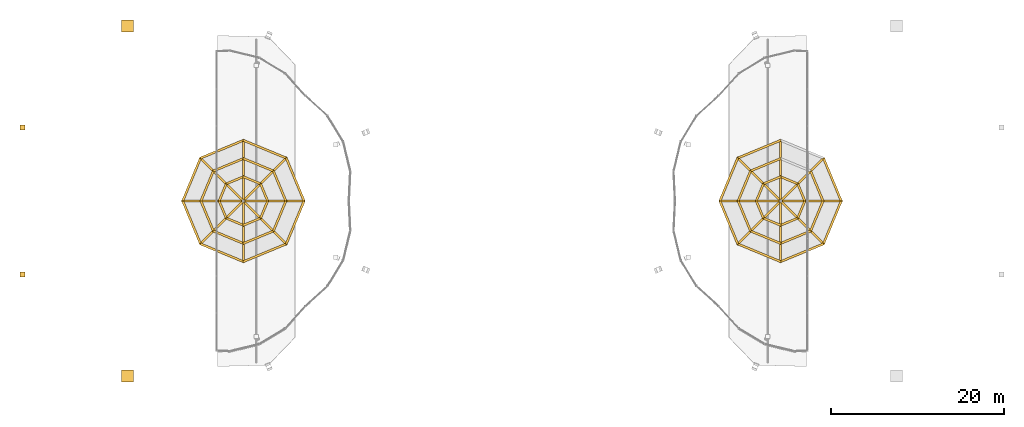
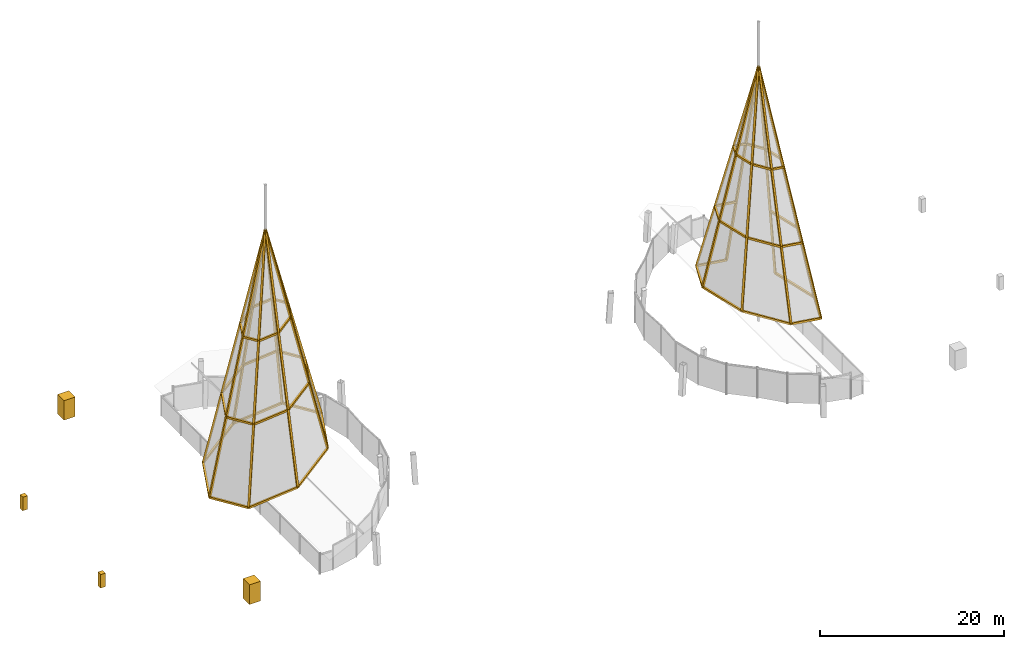
# One storey, part 15 of 16: 66 coverings.
"""IFC4 building model written with IfcOpenShell, lengths in metres."""

from ifc_helpers import new_model, si_unit, direction, frame, origin, origin_2d, place, context, subcontext, project, spatial, polyline, rectangle, outline, extrude, material, layer, layer_set, material_profile, profile_set, type_object, element, save


model = new_model("IFC4")

# Units and contexts
model_context = context("Model", 3, precision=1e-05, world=origin(), true_north=direction((0.0, 1.0)))
body_context = subcontext(model_context, "Body", "Model", "MODEL_VIEW")
ifc_project = project(units=[si_unit("LENGTHUNIT", "METRE"), si_unit("AREAUNIT", "SQUARE_METRE"), si_unit("VOLUMEUNIT", "CUBIC_METRE"), si_unit("PLANEANGLEUNIT", "RADIAN"), si_unit("MASSUNIT", "GRAM", prefix="KILO")], contexts=[model_context])

# Site, building, storey
site_placement = place(None, origin())
site = spatial("IfcSite", under=ifc_project, at=site_placement, CompositionType="ELEMENT")
building_placement = place(site_placement, origin())
building = spatial("IfcBuilding", under=site, at=building_placement, Name="Ogive Gate Towers", CompositionType="ELEMENT")
storey_placement = place(building_placement, frame((0.0, 0.0, 310.0)))
storey = spatial("IfcBuildingStorey", under=building, at=storey_placement, Name="L73", CompositionType="ELEMENT", Elevation=310.0)

# Coverings
ifc_material = material(Name="Cast stone", Category="masonry")
ifc_material_profile = material_profile(ifc_material, rectangle(XDim=0.25, YDim=0.25, at=origin_2d()), Name="250 x 250 cast stone")
ifc_profile_set = profile_set([ifc_material_profile], Name="Cast stone")
covering_type_1 = type_object("IfcCoveringType", Name="Lantern rib 250 x 250", PredefinedType="CLADDING", material=ifc_profile_set)
covering_1_placement = place(storey_placement, frame((-24.0, 0.0, 6.99951171875), z_axis=(-0.252113335072, 0.0, 0.967697714309), x_axis=(0.0, -1.0, 0.0)))
element("IfcCovering", 1, at=covering_1_placement, inside=storey, type_object=covering_type_1, Name="Lantern arris rib", PredefinedType="CLADDING", context=body_context, shape_type="SweptSolid", body=[
    extrude(rectangle(XDim=0.25, YDim=0.25, at=origin_2d()), origin(), (0.0, 0.0, 1.0), 27.765380859375),
])
covering_2_placement = place(storey_placement, frame((-24.0, 0.0, 6.99951171875), z_axis=(-0.377204350323, 0.910626458496, -0.168749314618), x_axis=(-0.923875758625, -0.382692543205, 0.0)))
element("IfcCovering", 2, at=covering_2_placement, inside=storey, type_object=covering_type_1, Name="Lantern base rib", PredefinedType="CLADDING", context=body_context, shape_type="SweptSolid", body=[
    extrude(rectangle(XDim=0.25, YDim=0.25, at=origin_2d()), origin(), (0.0, 0.0, 1.0), 5.435546875),
])
covering_3_placement = place(storey_placement, frame((-26.10009765625, 0.0, 15.059814453125), z_axis=(-0.377170595218, 0.910650746399, -0.16869368745), x_axis=(-0.923891474608, -0.38265460032, 0.0)))
element("IfcCovering", 3, at=covering_3_placement, inside=storey, type_object=covering_type_1, Name="Lantern hoop rib", PredefinedType="CLADDING", context=body_context, shape_type="SweptSolid", body=[
    extrude(rectangle(XDim=0.25, YDim=0.25, at=origin_2d()), origin(), (0.0, 0.0, 1.0), 3.8046875),
])
covering_4_placement = place(storey_placement, frame((-28.199951171875, 0.0, 23.12060546875), z_axis=(-0.377168230906, 0.910638390191, -0.168765659736), x_axis=(-0.923890487046, -0.382656984709, 0.0)))
element("IfcCovering", 4, at=covering_4_placement, inside=storey, type_object=covering_type_1, Name="Lantern hoop rib", PredefinedType="CLADDING", context=body_context, shape_type="SweptSolid", body=[
    extrude(rectangle(XDim=0.25, YDim=0.25, at=origin_2d()), origin(), (0.0, 0.0, 1.0), 2.17431640625),
])
covering_5_placement = place(storey_placement, frame((-26.05029296875, 4.94970703125, 6.082275390625), z_axis=(-0.172741627856, -0.172741627856, 0.969701325157), x_axis=(0.707106781187, -0.707106781187, 0.0)))
element("IfcCovering", 5, at=covering_5_placement, inside=storey, type_object=covering_type_1, Name="Lantern arris rib", PredefinedType="CLADDING", context=body_context, shape_type="SweptSolid", body=[
    extrude(rectangle(XDim=0.25, YDim=0.25, at=origin_2d()), origin(), (0.0, 0.0, 1.0), 28.65380859375),
])
covering_6_placement = place(storey_placement, frame((-26.05029296875, 4.94970703125, 6.082275390625), z_axis=(-0.853820831271, 0.353674032801, -0.381974693678), x_axis=(-0.382692543205, -0.923875758625, 0.0)))
element("IfcCovering", 6, at=covering_6_placement, inside=storey, type_object=covering_type_1, Name="Lantern base rib", PredefinedType="CLADDING", context=body_context, shape_type="SweptSolid", body=[
    extrude(rectangle(XDim=0.25, YDim=0.25, at=origin_2d()), origin(), (0.0, 0.0, 1.0), 5.797119140625),
])
covering_7_placement = place(storey_placement, frame((-27.53515625, 3.46484375, 14.41796875), z_axis=(-0.853834992004, 0.353638816446, -0.381975645732), x_axis=(-0.38265460032, -0.923891474608, 0.0)))
element("IfcCovering", 7, at=covering_7_placement, inside=storey, type_object=covering_type_1, Name="Lantern hoop rib", PredefinedType="CLADDING", context=body_context, shape_type="SweptSolid", body=[
    extrude(rectangle(XDim=0.25, YDim=0.25, at=origin_2d()), origin(), (0.0, 0.0, 1.0), 4.057861328125),
])
covering_8_placement = place(storey_placement, frame((-29.02001953125, 1.97998046875, 22.753662109375), z_axis=(-0.853838601342, 0.35364289296, -0.381963803412), x_axis=(-0.382656984709, -0.923890487046, 0.0)))
element("IfcCovering", 8, at=covering_8_placement, inside=storey, type_object=covering_type_1, Name="Lantern hoop rib", PredefinedType="CLADDING", context=body_context, shape_type="SweptSolid", body=[
    extrude(rectangle(XDim=0.25, YDim=0.25, at=origin_2d()), origin(), (0.0, 0.0, 1.0), 2.31884765625),
])
covering_9_placement = place(storey_placement, frame((-31.0, 7.0, 3.867919921875), z_axis=(0.0, -0.227229615606, 0.973841209742), x_axis=(1.0, 0.0, 0.0)))
element("IfcCovering", 9, at=covering_9_placement, inside=storey, type_object=covering_type_1, Name="Lantern arris rib", PredefinedType="CLADDING", context=body_context, shape_type="SweptSolid", body=[
    extrude(rectangle(XDim=0.25, YDim=0.25, at=origin_2d()), origin(), (0.0, 0.0, 1.0), 30.805908203125),
])
covering_10_placement = place(storey_placement, frame((-31.0, 7.0, 3.867919921875), z_axis=(-0.853820831271, -0.353674032801, -0.381974693678), x_axis=(0.382692543205, -0.923875758625, 0.0)))
element("IfcCovering", 10, at=covering_10_placement, inside=storey, type_object=covering_type_1, Name="Lantern base rib", PredefinedType="CLADDING", context=body_context, shape_type="SweptSolid", body=[
    extrude(rectangle(XDim=0.25, YDim=0.25, at=origin_2d()), origin(), (0.0, 0.0, 1.0), 5.797119140625),
])
covering_11_placement = place(storey_placement, frame((-31.0, 4.89990234375, 12.867919921875), z_axis=(-0.853834992004, -0.353638816446, -0.381975645732), x_axis=(0.38265460032, -0.923891474608, 0.0)))
element("IfcCovering", 11, at=covering_11_placement, inside=storey, type_object=covering_type_1, Name="Lantern hoop rib", PredefinedType="CLADDING", context=body_context, shape_type="SweptSolid", body=[
    extrude(rectangle(XDim=0.25, YDim=0.25, at=origin_2d()), origin(), (0.0, 0.0, 1.0), 4.057861328125),
])
covering_12_placement = place(storey_placement, frame((-31.0, 2.800048828125, 21.867919921875), z_axis=(-0.853838601342, -0.35364289296, -0.381963803412), x_axis=(0.382656984709, -0.923890487046, 0.0)))
element("IfcCovering", 12, at=covering_12_placement, inside=storey, type_object=covering_type_1, Name="Lantern hoop rib", PredefinedType="CLADDING", context=body_context, shape_type="SweptSolid", body=[
    extrude(rectangle(XDim=0.25, YDim=0.25, at=origin_2d()), origin(), (0.0, 0.0, 1.0), 2.31884765625),
])
covering_13_placement = place(storey_placement, frame((-35.94970703125, 4.94970703125, 1.653564453125), z_axis=(0.15014535214, -0.15014535214, 0.977196370471), x_axis=(0.707106781187, 0.707106781187, 0.0)))
element("IfcCovering", 13, at=covering_13_placement, inside=storey, type_object=covering_type_1, Name="Lantern arris rib", PredefinedType="CLADDING", context=body_context, shape_type="SweptSolid", body=[
    extrude(rectangle(XDim=0.25, YDim=0.25, at=origin_2d()), origin(), (0.0, 0.0, 1.0), 32.966064453125),
])
covering_14_placement = place(storey_placement, frame((-35.94970703125, 4.94970703125, 1.653564453125), z_axis=(-0.377204350323, -0.910626458496, -0.168749314618), x_axis=(0.923875758625, -0.382692543205, 0.0)))
element("IfcCovering", 14, at=covering_14_placement, inside=storey, type_object=covering_type_1, Name="Lantern base rib", PredefinedType="CLADDING", context=body_context, shape_type="SweptSolid", body=[
    extrude(rectangle(XDim=0.25, YDim=0.25, at=origin_2d()), origin(), (0.0, 0.0, 1.0), 5.435546875),
])
covering_15_placement = place(storey_placement, frame((-34.46484375, 3.46484375, 11.31787109375), z_axis=(-0.377166511832, -0.910640887363, -0.1687560269), x_axis=(0.923891474608, -0.38265460032, 0.0)))
element("IfcCovering", 15, at=covering_15_placement, inside=storey, type_object=covering_type_1, Name="Lantern hoop rib", PredefinedType="CLADDING", context=body_context, shape_type="SweptSolid", body=[
    extrude(rectangle(XDim=0.25, YDim=0.25, at=origin_2d()), origin(), (0.0, 0.0, 1.0), 3.804931640625),
])
covering_16_placement = place(storey_placement, frame((-32.97998046875, 1.97998046875, 20.982177734375), z_axis=(-0.377168230906, -0.910638390191, -0.168765659736), x_axis=(0.923890487046, -0.382656984709, 0.0)))
element("IfcCovering", 16, at=covering_16_placement, inside=storey, type_object=covering_type_1, Name="Lantern hoop rib", PredefinedType="CLADDING", context=body_context, shape_type="SweptSolid", body=[
    extrude(rectangle(XDim=0.25, YDim=0.25, at=origin_2d()), origin(), (0.0, 0.0, 1.0), 2.17431640625),
])
covering_17_placement = place(storey_placement, frame((-38.0, 0.0, 0.736328125), z_axis=(0.206715329492, 0.0, 0.978401130699), x_axis=(0.0, 1.0, 0.0)))
element("IfcCovering", 17, at=covering_17_placement, inside=storey, type_object=covering_type_1, Name="Lantern arris rib", PredefinedType="CLADDING", context=body_context, shape_type="SweptSolid", body=[
    extrude(rectangle(XDim=0.25, YDim=0.25, at=origin_2d()), origin(), (0.0, 0.0, 1.0), 33.863037109375),
])
covering_18_placement = place(storey_placement, frame((-38.0, 0.0, 0.736328125), z_axis=(0.377204350323, -0.910626458496, 0.168749314618), x_axis=(0.923875758625, 0.382692543205, 0.0)))
element("IfcCovering", 18, at=covering_18_placement, inside=storey, type_object=covering_type_1, Name="Lantern base rib", PredefinedType="CLADDING", context=body_context, shape_type="SweptSolid", body=[
    extrude(rectangle(XDim=0.25, YDim=0.25, at=origin_2d()), origin(), (0.0, 0.0, 1.0), 5.435546875),
])
covering_19_placement = place(storey_placement, frame((-35.89990234375, 0.0, 10.67578125), z_axis=(0.377166511832, -0.910640887363, 0.1687560269), x_axis=(0.923891474608, 0.38265460032, 0.0)))
element("IfcCovering", 19, at=covering_19_placement, inside=storey, type_object=covering_type_1, Name="Lantern hoop rib", PredefinedType="CLADDING", context=body_context, shape_type="SweptSolid", body=[
    extrude(rectangle(XDim=0.25, YDim=0.25, at=origin_2d()), origin(), (0.0, 0.0, 1.0), 3.804931640625),
])
covering_20_placement = place(storey_placement, frame((-33.800048828125, 0.0, 20.615234375), z_axis=(0.377168230906, -0.910638390191, 0.168765659736), x_axis=(0.923890487046, 0.382656984709, 0.0)))
element("IfcCovering", 20, at=covering_20_placement, inside=storey, type_object=covering_type_1, Name="Lantern hoop rib", PredefinedType="CLADDING", context=body_context, shape_type="SweptSolid", body=[
    extrude(rectangle(XDim=0.25, YDim=0.25, at=origin_2d()), origin(), (0.0, 0.0, 1.0), 2.17431640625),
])
covering_21_placement = place(storey_placement, frame((-35.94970703125, -4.94970703125, 1.653564453125), z_axis=(0.15014535214, 0.15014535214, 0.977196370471), x_axis=(-0.707106781187, 0.707106781187, 0.0)))
element("IfcCovering", 21, at=covering_21_placement, inside=storey, type_object=covering_type_1, Name="Lantern arris rib", PredefinedType="CLADDING", context=body_context, shape_type="SweptSolid", body=[
    extrude(rectangle(XDim=0.25, YDim=0.25, at=origin_2d()), origin(), (0.0, 0.0, 1.0), 32.966064453125),
])
covering_22_placement = place(storey_placement, frame((-35.94970703125, -4.94970703125, 1.653564453125), z_axis=(0.853820831271, -0.353674032801, 0.381974693678), x_axis=(0.382692543205, 0.923875758625, 0.0)))
element("IfcCovering", 22, at=covering_22_placement, inside=storey, type_object=covering_type_1, Name="Lantern base rib", PredefinedType="CLADDING", context=body_context, shape_type="SweptSolid", body=[
    extrude(rectangle(XDim=0.25, YDim=0.25, at=origin_2d()), origin(), (0.0, 0.0, 1.0), 5.797119140625),
])
covering_23_placement = place(storey_placement, frame((-34.46484375, -3.46484375, 11.31787109375), z_axis=(0.853834992004, -0.353638816446, 0.381975645732), x_axis=(0.38265460032, 0.923891474608, 0.0)))
element("IfcCovering", 23, at=covering_23_placement, inside=storey, type_object=covering_type_1, Name="Lantern hoop rib", PredefinedType="CLADDING", context=body_context, shape_type="SweptSolid", body=[
    extrude(rectangle(XDim=0.25, YDim=0.25, at=origin_2d()), origin(), (0.0, 0.0, 1.0), 4.057861328125),
])
covering_24_placement = place(storey_placement, frame((-32.97998046875, -1.97998046875, 20.982177734375), z_axis=(0.853838601342, -0.35364289296, 0.381963803412), x_axis=(0.382656984709, 0.923890487046, 0.0)))
element("IfcCovering", 24, at=covering_24_placement, inside=storey, type_object=covering_type_1, Name="Lantern hoop rib", PredefinedType="CLADDING", context=body_context, shape_type="SweptSolid", body=[
    extrude(rectangle(XDim=0.25, YDim=0.25, at=origin_2d()), origin(), (0.0, 0.0, 1.0), 2.31884765625),
])
covering_25_placement = place(storey_placement, frame((-31.0, -7.0, 3.867919921875), z_axis=(0.0, 0.227229615606, 0.973841209742), x_axis=(-1.0, 0.0, 0.0)))
element("IfcCovering", 25, at=covering_25_placement, inside=storey, type_object=covering_type_1, Name="Lantern arris rib", PredefinedType="CLADDING", context=body_context, shape_type="SweptSolid", body=[
    extrude(rectangle(XDim=0.25, YDim=0.25, at=origin_2d()), origin(), (0.0, 0.0, 1.0), 30.805908203125),
])
covering_26_placement = place(storey_placement, frame((-31.0, -7.0, 3.867919921875), z_axis=(0.853820831271, 0.353674032801, 0.381974693678), x_axis=(-0.382692543205, 0.923875758625, 0.0)))
element("IfcCovering", 26, at=covering_26_placement, inside=storey, type_object=covering_type_1, Name="Lantern base rib", PredefinedType="CLADDING", context=body_context, shape_type="SweptSolid", body=[
    extrude(rectangle(XDim=0.25, YDim=0.25, at=origin_2d()), origin(), (0.0, 0.0, 1.0), 5.797119140625),
])
covering_27_placement = place(storey_placement, frame((-31.0, -4.89990234375, 12.867919921875), z_axis=(0.853834992004, 0.353638816446, 0.381975645732), x_axis=(-0.38265460032, 0.923891474608, 0.0)))
element("IfcCovering", 27, at=covering_27_placement, inside=storey, type_object=covering_type_1, Name="Lantern hoop rib", PredefinedType="CLADDING", context=body_context, shape_type="SweptSolid", body=[
    extrude(rectangle(XDim=0.25, YDim=0.25, at=origin_2d()), origin(), (0.0, 0.0, 1.0), 4.057861328125),
])
covering_28_placement = place(storey_placement, frame((-31.0, -2.800048828125, 21.867919921875), z_axis=(0.853838601342, 0.35364289296, 0.381963803412), x_axis=(-0.382656984709, 0.923890487046, 0.0)))
element("IfcCovering", 28, at=covering_28_placement, inside=storey, type_object=covering_type_1, Name="Lantern hoop rib", PredefinedType="CLADDING", context=body_context, shape_type="SweptSolid", body=[
    extrude(rectangle(XDim=0.25, YDim=0.25, at=origin_2d()), origin(), (0.0, 0.0, 1.0), 2.31884765625),
])
covering_29_placement = place(storey_placement, frame((-26.05029296875, -4.94970703125, 6.082275390625), z_axis=(-0.172741627856, 0.172741627856, 0.969701325157), x_axis=(-0.707106781187, -0.707106781187, 0.0)))
element("IfcCovering", 29, at=covering_29_placement, inside=storey, type_object=covering_type_1, Name="Lantern arris rib", PredefinedType="CLADDING", context=body_context, shape_type="SweptSolid", body=[
    extrude(rectangle(XDim=0.25, YDim=0.25, at=origin_2d()), origin(), (0.0, 0.0, 1.0), 28.65380859375),
])
covering_30_placement = place(storey_placement, frame((-26.05029296875, -4.94970703125, 6.082275390625), z_axis=(0.377204350323, 0.910626458496, 0.168749314618), x_axis=(-0.923875758625, 0.382692543205, 0.0)))
element("IfcCovering", 30, at=covering_30_placement, inside=storey, type_object=covering_type_1, Name="Lantern base rib", PredefinedType="CLADDING", context=body_context, shape_type="SweptSolid", body=[
    extrude(rectangle(XDim=0.25, YDim=0.25, at=origin_2d()), origin(), (0.0, 0.0, 1.0), 5.435546875),
])
covering_31_placement = place(storey_placement, frame((-27.53515625, -3.46484375, 14.41796875), z_axis=(0.377170595218, 0.910650746399, 0.16869368745), x_axis=(-0.923891474608, 0.38265460032, 0.0)))
element("IfcCovering", 31, at=covering_31_placement, inside=storey, type_object=covering_type_1, Name="Lantern hoop rib", PredefinedType="CLADDING", context=body_context, shape_type="SweptSolid", body=[
    extrude(rectangle(XDim=0.25, YDim=0.25, at=origin_2d()), origin(), (0.0, 0.0, 1.0), 3.8046875),
])
covering_32_placement = place(storey_placement, frame((-29.02001953125, -1.97998046875, 22.753662109375), z_axis=(0.377168230906, 0.910638390191, 0.168765659736), x_axis=(-0.923890487046, 0.382656984709, 0.0)))
element("IfcCovering", 32, at=covering_32_placement, inside=storey, type_object=covering_type_1, Name="Lantern hoop rib", PredefinedType="CLADDING", context=body_context, shape_type="SweptSolid", body=[
    extrude(rectangle(XDim=0.25, YDim=0.25, at=origin_2d()), origin(), (0.0, 0.0, 1.0), 2.17431640625),
])
covering_33_placement = place(storey_placement, frame((38.0, 0.0, 0.736328125), z_axis=(-0.206715329492, 0.0, 0.978401130699), x_axis=(0.0, -1.0, 0.0)))
element("IfcCovering", 33, at=covering_33_placement, inside=storey, type_object=covering_type_1, Name="Lantern arris rib", PredefinedType="CLADDING", context=body_context, shape_type="SweptSolid", body=[
    extrude(rectangle(XDim=0.25, YDim=0.25, at=origin_2d()), origin(), (0.0, 0.0, 1.0), 33.863037109375),
])
covering_34_placement = place(storey_placement, frame((38.0, 0.0, 0.736328125), z_axis=(-0.377204350323, 0.910626458496, 0.168749314618), x_axis=(-0.923875758625, -0.382692543205, 0.0)))
element("IfcCovering", 34, at=covering_34_placement, inside=storey, type_object=covering_type_1, Name="Lantern base rib", PredefinedType="CLADDING", context=body_context, shape_type="SweptSolid", body=[
    extrude(rectangle(XDim=0.25, YDim=0.25, at=origin_2d()), origin(), (0.0, 0.0, 1.0), 5.435546875),
])
covering_35_placement = place(storey_placement, frame((35.89990234375, 0.0, 10.67578125), z_axis=(-0.377166511832, 0.910640887363, 0.1687560269), x_axis=(-0.923891474608, -0.38265460032, 0.0)))
element("IfcCovering", 35, at=covering_35_placement, inside=storey, type_object=covering_type_1, Name="Lantern hoop rib", PredefinedType="CLADDING", context=body_context, shape_type="SweptSolid", body=[
    extrude(rectangle(XDim=0.25, YDim=0.25, at=origin_2d()), origin(), (0.0, 0.0, 1.0), 3.804931640625),
])
covering_36_placement = place(storey_placement, frame((33.800048828125, 0.0, 20.615234375), z_axis=(-0.377168230906, 0.910638390191, 0.168765659736), x_axis=(-0.923890487046, -0.382656984709, 0.0)))
element("IfcCovering", 36, at=covering_36_placement, inside=storey, type_object=covering_type_1, Name="Lantern hoop rib", PredefinedType="CLADDING", context=body_context, shape_type="SweptSolid", body=[
    extrude(rectangle(XDim=0.25, YDim=0.25, at=origin_2d()), origin(), (0.0, 0.0, 1.0), 2.17431640625),
])
covering_37_placement = place(storey_placement, frame((35.94970703125, 4.94970703125, 1.653564453125), z_axis=(-0.15014535214, -0.15014535214, 0.977196370471), x_axis=(0.707106781187, -0.707106781187, 0.0)))
element("IfcCovering", 37, at=covering_37_placement, inside=storey, type_object=covering_type_1, Name="Lantern arris rib", PredefinedType="CLADDING", context=body_context, shape_type="SweptSolid", body=[
    extrude(rectangle(XDim=0.25, YDim=0.25, at=origin_2d()), origin(), (0.0, 0.0, 1.0), 32.966064453125),
])
covering_38_placement = place(storey_placement, frame((32.97998046875, 1.97998046875, 20.982177734375), z_axis=(-0.853838601342, 0.35364289296, 0.381963803412), x_axis=(-0.382656984709, -0.923890487046, 0.0)))
element("IfcCovering", 38, at=covering_38_placement, inside=storey, type_object=covering_type_1, Name="Lantern hoop rib", PredefinedType="CLADDING", context=body_context, shape_type="SweptSolid", body=[
    extrude(rectangle(XDim=0.25, YDim=0.25, at=origin_2d()), origin(), (0.0, 0.0, 1.0), 2.31884765625),
])
covering_39_placement = place(storey_placement, frame((31.0, 7.0, 3.867919921875), z_axis=(0.0, -0.227229615606, 0.973841209742), x_axis=(1.0, 0.0, 0.0)))
element("IfcCovering", 39, at=covering_39_placement, inside=storey, type_object=covering_type_1, Name="Lantern arris rib", PredefinedType="CLADDING", context=body_context, shape_type="SweptSolid", body=[
    extrude(rectangle(XDim=0.25, YDim=0.25, at=origin_2d()), origin(), (0.0, 0.0, 1.0), 30.805908203125),
])
covering_40_placement = place(storey_placement, frame((31.0, 7.0, 3.867919921875), z_axis=(-0.853820831271, -0.353674032801, 0.381974693678), x_axis=(0.382692543205, -0.923875758625, 0.0)))
element("IfcCovering", 40, at=covering_40_placement, inside=storey, type_object=covering_type_1, Name="Lantern base rib", PredefinedType="CLADDING", context=body_context, shape_type="SweptSolid", body=[
    extrude(rectangle(XDim=0.25, YDim=0.25, at=origin_2d()), origin(), (0.0, 0.0, 1.0), 5.797119140625),
])
covering_41_placement = place(storey_placement, frame((31.0, 4.89990234375, 12.867919921875), z_axis=(-0.853834992004, -0.353638816446, 0.381975645732), x_axis=(0.38265460032, -0.923891474608, 0.0)))
element("IfcCovering", 41, at=covering_41_placement, inside=storey, type_object=covering_type_1, Name="Lantern hoop rib", PredefinedType="CLADDING", context=body_context, shape_type="SweptSolid", body=[
    extrude(rectangle(XDim=0.25, YDim=0.25, at=origin_2d()), origin(), (0.0, 0.0, 1.0), 4.057861328125),
])
covering_42_placement = place(storey_placement, frame((31.0, 2.800048828125, 21.867919921875), z_axis=(-0.853838601342, -0.35364289296, 0.381963803412), x_axis=(0.382656984709, -0.923890487046, 0.0)))
element("IfcCovering", 42, at=covering_42_placement, inside=storey, type_object=covering_type_1, Name="Lantern hoop rib", PredefinedType="CLADDING", context=body_context, shape_type="SweptSolid", body=[
    extrude(rectangle(XDim=0.25, YDim=0.25, at=origin_2d()), origin(), (0.0, 0.0, 1.0), 2.31884765625),
])
covering_43_placement = place(storey_placement, frame((26.05029296875, 4.94970703125, 6.082275390625), z_axis=(0.172741627856, -0.172741627856, 0.969701325157), x_axis=(0.707106781187, 0.707106781187, 0.0)))
element("IfcCovering", 43, at=covering_43_placement, inside=storey, type_object=covering_type_1, Name="Lantern arris rib", PredefinedType="CLADDING", context=body_context, shape_type="SweptSolid", body=[
    extrude(rectangle(XDim=0.25, YDim=0.25, at=origin_2d()), origin(), (0.0, 0.0, 1.0), 28.65380859375),
])
covering_44_placement = place(storey_placement, frame((26.05029296875, 4.94970703125, 6.082275390625), z_axis=(-0.377204350323, -0.910626458496, 0.168749314618), x_axis=(0.923875758625, -0.382692543205, 0.0)))
element("IfcCovering", 44, at=covering_44_placement, inside=storey, type_object=covering_type_1, Name="Lantern base rib", PredefinedType="CLADDING", context=body_context, shape_type="SweptSolid", body=[
    extrude(rectangle(XDim=0.25, YDim=0.25, at=origin_2d()), origin(), (0.0, 0.0, 1.0), 5.435546875),
])
covering_45_placement = place(storey_placement, frame((27.53515625, 3.46484375, 14.41796875), z_axis=(-0.377170595218, -0.910650746399, 0.16869368745), x_axis=(0.923891474608, -0.38265460032, 0.0)))
element("IfcCovering", 45, at=covering_45_placement, inside=storey, type_object=covering_type_1, Name="Lantern hoop rib", PredefinedType="CLADDING", context=body_context, shape_type="SweptSolid", body=[
    extrude(rectangle(XDim=0.25, YDim=0.25, at=origin_2d()), origin(), (0.0, 0.0, 1.0), 3.8046875),
])
covering_46_placement = place(storey_placement, frame((29.02001953125, 1.97998046875, 22.753662109375), z_axis=(-0.377168230906, -0.910638390191, 0.168765659736), x_axis=(0.923890487046, -0.382656984709, 0.0)))
element("IfcCovering", 46, at=covering_46_placement, inside=storey, type_object=covering_type_1, Name="Lantern hoop rib", PredefinedType="CLADDING", context=body_context, shape_type="SweptSolid", body=[
    extrude(rectangle(XDim=0.25, YDim=0.25, at=origin_2d()), origin(), (0.0, 0.0, 1.0), 2.17431640625),
])
covering_47_placement = place(storey_placement, frame((24.0, 0.0, 6.99951171875), z_axis=(0.252113335072, 0.0, 0.967697714309), x_axis=(0.0, 1.0, 0.0)))
element("IfcCovering", 47, at=covering_47_placement, inside=storey, type_object=covering_type_1, Name="Lantern arris rib", PredefinedType="CLADDING", context=body_context, shape_type="SweptSolid", body=[
    extrude(rectangle(XDim=0.25, YDim=0.25, at=origin_2d()), origin(), (0.0, 0.0, 1.0), 27.765380859375),
])
covering_48_placement = place(storey_placement, frame((24.0, 0.0, 6.99951171875), z_axis=(0.377204350323, -0.910626458496, -0.168749314618), x_axis=(0.923875758625, 0.382692543205, 0.0)))
element("IfcCovering", 48, at=covering_48_placement, inside=storey, type_object=covering_type_1, Name="Lantern base rib", PredefinedType="CLADDING", context=body_context, shape_type="SweptSolid", body=[
    extrude(rectangle(XDim=0.25, YDim=0.25, at=origin_2d()), origin(), (0.0, 0.0, 1.0), 5.435546875),
])
covering_49_placement = place(storey_placement, frame((26.10009765625, 0.0, 15.059814453125), z_axis=(0.377170595218, -0.910650746399, -0.16869368745), x_axis=(0.923891474608, 0.38265460032, 0.0)))
element("IfcCovering", 49, at=covering_49_placement, inside=storey, type_object=covering_type_1, Name="Lantern hoop rib", PredefinedType="CLADDING", context=body_context, shape_type="SweptSolid", body=[
    extrude(rectangle(XDim=0.25, YDim=0.25, at=origin_2d()), origin(), (0.0, 0.0, 1.0), 3.8046875),
])
covering_50_placement = place(storey_placement, frame((28.199951171875, 0.0, 23.12060546875), z_axis=(0.377168230906, -0.910638390191, -0.168765659736), x_axis=(0.923890487046, 0.382656984709, 0.0)))
element("IfcCovering", 50, at=covering_50_placement, inside=storey, type_object=covering_type_1, Name="Lantern hoop rib", PredefinedType="CLADDING", context=body_context, shape_type="SweptSolid", body=[
    extrude(rectangle(XDim=0.25, YDim=0.25, at=origin_2d()), origin(), (0.0, 0.0, 1.0), 2.17431640625),
])
covering_51_placement = place(storey_placement, frame((26.05029296875, -4.94970703125, 6.082275390625), z_axis=(0.172741627856, 0.172741627856, 0.969701325157), x_axis=(-0.707106781187, 0.707106781187, 0.0)))
element("IfcCovering", 51, at=covering_51_placement, inside=storey, type_object=covering_type_1, Name="Lantern arris rib", PredefinedType="CLADDING", context=body_context, shape_type="SweptSolid", body=[
    extrude(rectangle(XDim=0.25, YDim=0.25, at=origin_2d()), origin(), (0.0, 0.0, 1.0), 28.65380859375),
])
covering_52_placement = place(storey_placement, frame((26.05029296875, -4.94970703125, 6.082275390625), z_axis=(0.853820831271, -0.353674032801, -0.381974693678), x_axis=(0.382692543205, 0.923875758625, 0.0)))
element("IfcCovering", 52, at=covering_52_placement, inside=storey, type_object=covering_type_1, Name="Lantern base rib", PredefinedType="CLADDING", context=body_context, shape_type="SweptSolid", body=[
    extrude(rectangle(XDim=0.25, YDim=0.25, at=origin_2d()), origin(), (0.0, 0.0, 1.0), 5.797119140625),
])
covering_53_placement = place(storey_placement, frame((27.53515625, -3.46484375, 14.41796875), z_axis=(0.853834992004, -0.353638816446, -0.381975645732), x_axis=(0.38265460032, 0.923891474608, 0.0)))
element("IfcCovering", 53, at=covering_53_placement, inside=storey, type_object=covering_type_1, Name="Lantern hoop rib", PredefinedType="CLADDING", context=body_context, shape_type="SweptSolid", body=[
    extrude(rectangle(XDim=0.25, YDim=0.25, at=origin_2d()), origin(), (0.0, 0.0, 1.0), 4.057861328125),
])
covering_54_placement = place(storey_placement, frame((29.02001953125, -1.97998046875, 22.753662109375), z_axis=(0.853838601342, -0.35364289296, -0.381963803412), x_axis=(0.382656984709, 0.923890487046, 0.0)))
element("IfcCovering", 54, at=covering_54_placement, inside=storey, type_object=covering_type_1, Name="Lantern hoop rib", PredefinedType="CLADDING", context=body_context, shape_type="SweptSolid", body=[
    extrude(rectangle(XDim=0.25, YDim=0.25, at=origin_2d()), origin(), (0.0, 0.0, 1.0), 2.31884765625),
])
covering_55_placement = place(storey_placement, frame((31.0, -7.0, 3.867919921875), z_axis=(0.0, 0.227229615606, 0.973841209742), x_axis=(-1.0, 0.0, 0.0)))
element("IfcCovering", 55, at=covering_55_placement, inside=storey, type_object=covering_type_1, Name="Lantern arris rib", PredefinedType="CLADDING", context=body_context, shape_type="SweptSolid", body=[
    extrude(rectangle(XDim=0.25, YDim=0.25, at=origin_2d()), origin(), (0.0, 0.0, 1.0), 30.805908203125),
])
covering_56_placement = place(storey_placement, frame((31.0, -7.0, 3.867919921875), z_axis=(0.853820831271, 0.353674032801, -0.381974693678), x_axis=(-0.382692543205, 0.923875758625, 0.0)))
element("IfcCovering", 56, at=covering_56_placement, inside=storey, type_object=covering_type_1, Name="Lantern base rib", PredefinedType="CLADDING", context=body_context, shape_type="SweptSolid", body=[
    extrude(rectangle(XDim=0.25, YDim=0.25, at=origin_2d()), origin(), (0.0, 0.0, 1.0), 5.797119140625),
])
covering_57_placement = place(storey_placement, frame((31.0, -4.89990234375, 12.867919921875), z_axis=(0.853834992004, 0.353638816446, -0.381975645732), x_axis=(-0.38265460032, 0.923891474608, 0.0)))
element("IfcCovering", 57, at=covering_57_placement, inside=storey, type_object=covering_type_1, Name="Lantern hoop rib", PredefinedType="CLADDING", context=body_context, shape_type="SweptSolid", body=[
    extrude(rectangle(XDim=0.25, YDim=0.25, at=origin_2d()), origin(), (0.0, 0.0, 1.0), 4.057861328125),
])
covering_58_placement = place(storey_placement, frame((31.0, -2.800048828125, 21.867919921875), z_axis=(0.853838601342, 0.35364289296, -0.381963803412), x_axis=(-0.382656984709, 0.923890487046, 0.0)))
element("IfcCovering", 58, at=covering_58_placement, inside=storey, type_object=covering_type_1, Name="Lantern hoop rib", PredefinedType="CLADDING", context=body_context, shape_type="SweptSolid", body=[
    extrude(rectangle(XDim=0.25, YDim=0.25, at=origin_2d()), origin(), (0.0, 0.0, 1.0), 2.31884765625),
])
covering_59_placement = place(storey_placement, frame((35.94970703125, -4.94970703125, 1.653564453125), z_axis=(-0.15014535214, 0.15014535214, 0.977196370471), x_axis=(-0.707106781187, -0.707106781187, 0.0)))
element("IfcCovering", 59, at=covering_59_placement, inside=storey, type_object=covering_type_1, Name="Lantern arris rib", PredefinedType="CLADDING", context=body_context, shape_type="SweptSolid", body=[
    extrude(rectangle(XDim=0.25, YDim=0.25, at=origin_2d()), origin(), (0.0, 0.0, 1.0), 32.966064453125),
])
covering_60_placement = place(storey_placement, frame((35.94970703125, -4.94970703125, 1.653564453125), z_axis=(0.377204350323, 0.910626458496, -0.168749314618), x_axis=(-0.923875758625, 0.382692543205, 0.0)))
element("IfcCovering", 60, at=covering_60_placement, inside=storey, type_object=covering_type_1, Name="Lantern base rib", PredefinedType="CLADDING", context=body_context, shape_type="SweptSolid", body=[
    extrude(rectangle(XDim=0.25, YDim=0.25, at=origin_2d()), origin(), (0.0, 0.0, 1.0), 5.435546875),
])
covering_61_placement = place(storey_placement, frame((34.46484375, -3.46484375, 11.31787109375), z_axis=(0.377166511832, 0.910640887363, -0.1687560269), x_axis=(-0.923891474608, 0.38265460032, 0.0)))
element("IfcCovering", 61, at=covering_61_placement, inside=storey, type_object=covering_type_1, Name="Lantern hoop rib", PredefinedType="CLADDING", context=body_context, shape_type="SweptSolid", body=[
    extrude(rectangle(XDim=0.25, YDim=0.25, at=origin_2d()), origin(), (0.0, 0.0, 1.0), 3.804931640625),
])
covering_62_placement = place(storey_placement, frame((32.97998046875, -1.97998046875, 20.982177734375), z_axis=(0.377168230906, 0.910638390191, -0.168765659736), x_axis=(-0.923890487046, 0.382656984709, 0.0)))
element("IfcCovering", 62, at=covering_62_placement, inside=storey, type_object=covering_type_1, Name="Lantern hoop rib", PredefinedType="CLADDING", context=body_context, shape_type="SweptSolid", body=[
    extrude(rectangle(XDim=0.25, YDim=0.25, at=origin_2d()), origin(), (0.0, 0.0, 1.0), 2.17431640625),
])
ifc_layer_1 = layer(ifc_material, 2.60009765625)
ifc_layer_set_1 = layer_set([ifc_layer_1], Name="Pinnacle tier 1400")
covering_type_2 = type_object("IfcCoveringType", Name="Pinnacle tier 1400", PredefinedType="CLADDING", material=ifc_layer_set_1)
covering_63_placement = place(storey_placement, frame((0.0, 0.0, 1.609130859375)))
element("IfcCovering", 63, at=covering_63_placement, inside=storey, type_object=covering_type_2, Name="Crown pinnacle", PredefinedType="CLADDING", context=body_context, shape_type="SweptSolid", body=[
    extrude(outline(polyline([(-45.063232421875, 19.490478515625), (-43.6630859375, 19.490478515625), (-43.6630859375, 20.890625), (-45.063232421875, 20.890625), (-45.063232421875, 19.490478515625)])), origin(), (0.0, 0.0, 1.0), 2.599853515625),
])
covering_64_placement = place(storey_placement, frame((0.0, 0.0, 1.609130859375)))
element("IfcCovering", 64, at=covering_64_placement, inside=storey, type_object=covering_type_2, Name="Crown pinnacle", PredefinedType="CLADDING", context=body_context, shape_type="SweptSolid", body=[
    extrude(outline(polyline([(-45.063232421875, -20.890625), (-43.6630859375, -20.890625), (-43.6630859375, -19.490478515625), (-45.063232421875, -19.490478515625), (-45.063232421875, -20.890625)])), origin(), (0.0, 0.0, 1.0), 2.599853515625),
])
ifc_layer_2 = layer(ifc_material, 1.800048828125)
ifc_layer_set_2 = layer_set([ifc_layer_2], Name="Pinnacle tier 600")
covering_type_3 = type_object("IfcCoveringType", Name="Pinnacle tier 600", PredefinedType="CLADDING", material=ifc_layer_set_2)
covering_65_placement = place(storey_placement, frame((0.0, 0.0, 0.538330078125)))
element("IfcCovering", 65, at=covering_65_placement, inside=storey, type_object=covering_type_3, Name="Crown pinnacle", PredefinedType="CLADDING", context=body_context, shape_type="SweptSolid", body=[
    extrude(outline(polyline([(-56.78466796875, 8.18505859375), (-56.1845703125, 8.18505859375), (-56.1845703125, 8.784912109375), (-56.78466796875, 8.784912109375), (-56.78466796875, 8.18505859375)])), origin(), (0.0, 0.0, 1.0), 1.800048828125),
])
covering_66_placement = place(storey_placement, frame((0.0, 0.0, 0.538330078125)))
element("IfcCovering", 66, at=covering_66_placement, inside=storey, type_object=covering_type_3, Name="Crown pinnacle", PredefinedType="CLADDING", context=body_context, shape_type="SweptSolid", body=[
    extrude(outline(polyline([(-56.78466796875, -8.784912109375), (-56.1845703125, -8.784912109375), (-56.1845703125, -8.18505859375), (-56.78466796875, -8.18505859375), (-56.78466796875, -8.784912109375)])), origin(), (0.0, 0.0, 1.0), 1.800048828125),
])

save(model, "model.ifc")
